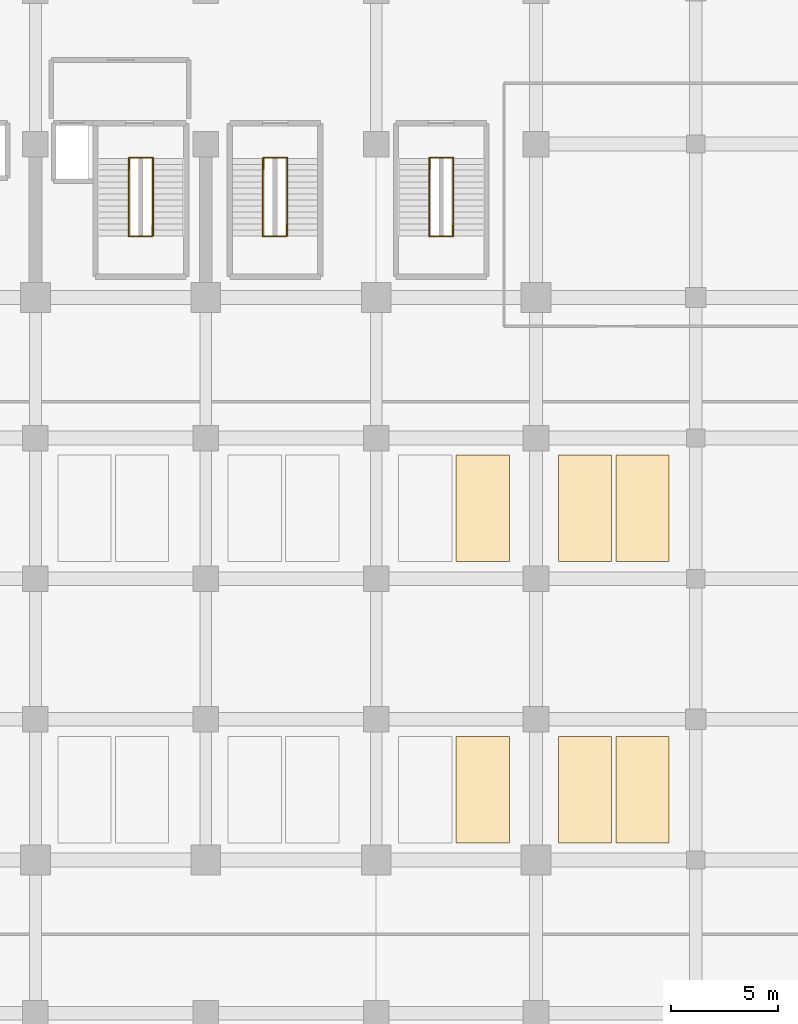
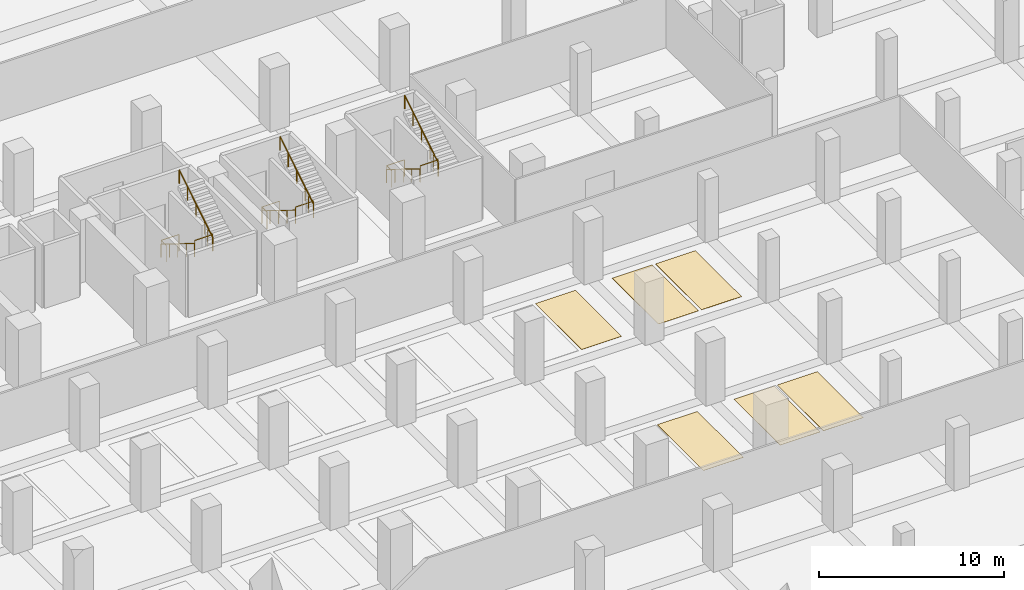
# One storey, part 22 of 25: 12 railings, 6 coverings.
"""IFC4 building model written with IfcOpenShell, lengths in metres."""

import ifcopenshell
import ifcopenshell.guid

model = None  # the IFC model being written
_history = None  # IfcOwnerHistory: only IFC2X3 demands one
_inside = {}  # id of a spatial element -> (the spatial element, [elements in it])
_under = {}  # id of a project, library or spatial element -> (it, [spatial elements below it])
_declared = {}  # id of a project -> (the project, [libraries it declares])
_typed = {}  # id of a type object -> (the type object, [elements of that type])
_made_of = {}  # id of a material, layer set ... -> (it, [elements and type objects made of it])


def new_model(schema):
    """Start an empty IFC model of exactly this schema.

    Asked for "IFC4X3", IfcOpenShell would pick the latest addendum, in which some entities
    have other attributes; the version numbers below select the first issue.
    IFC2X3 requires an IfcOwnerHistory on every rooted entity: one is made here for all.
    """
    global model, _history
    if schema == "IFC4X3":
        model = ifcopenshell.file(schema_version=(4, 3, 0, 0))
    else:
        model = ifcopenshell.file(schema=schema)
    _inside.clear()
    _under.clear()
    _declared.clear()
    _typed.clear()
    _made_of.clear()
    _history = None
    if model.schema == "IFC2X3":
        org = make("IfcOrganization", Name="unknown")
        user = make(
            "IfcPersonAndOrganization",
            ThePerson=make("IfcPerson", FamilyName="unknown"),
            TheOrganization=org,
        )
        app = make(
            "IfcApplication",
            ApplicationDeveloper=org,
            Version="unknown",
            ApplicationFullName="unknown",
            ApplicationIdentifier="unknown",
        )
        _history = make(
            "IfcOwnerHistory",
            OwningUser=user,
            OwningApplication=app,
            ChangeAction="ADDED",
            CreationDate=0,
        )
    return model


def make(cls, **values):
    """One entity of the class cls with the attributes given. An attribute that is None is left unset."""
    return model.create_entity(
        cls, **{name: value for name, value in values.items() if value is not None}
    )


def rooted(cls, **values):
    """An entity with a GlobalId (a new one), such as an element, a storey or a relation."""
    return make(cls, GlobalId=ifcopenshell.guid.new(), OwnerHistory=_history, **values)


def si_unit(unit_type, name, prefix=None):
    """IfcSIUnit, for example si_unit("LENGTHUNIT", "METRE", prefix="MILLI")."""
    return make("IfcSIUnit", UnitType=unit_type, Prefix=prefix, Name=name)


def assignment(units):
    """IfcUnitAssignment: the units of a project."""
    return None if units is None else make("IfcUnitAssignment", Units=units)


def point(xyz):
    """IfcCartesianPoint."""
    return None if xyz is None else make("IfcCartesianPoint", Coordinates=xyz)


def direction(xyz):
    """IfcDirection."""
    return None if xyz is None else make("IfcDirection", DirectionRatios=xyz)


def frame(location, z_axis=None, x_axis=None):
    """IfcAxis2Placement3D, a coordinate frame: its origin and axes. An axis left out is left unset."""
    return make(
        "IfcAxis2Placement3D",
        Location=point(location),
        Axis=direction(z_axis),
        RefDirection=direction(x_axis),
    )


def frame_2d(location, x_axis=None):
    """IfcAxis2Placement2D, a coordinate frame in the plane: its origin and x axis."""
    return make(
        "IfcAxis2Placement2D", Location=point(location), RefDirection=direction(x_axis)
    )


def origin():
    """The frame at (0, 0, 0) with its axes left unset."""
    return frame((0.0, 0.0, 0.0))


def origin_2d():
    """The frame at (0, 0) in the plane with its x axis left unset."""
    return frame_2d((0.0, 0.0))


def place(relative_to, where):
    """IfcLocalPlacement: puts the frame where relative to a parent placement (None: the world)."""
    return make(
        "IfcLocalPlacement", PlacementRelTo=relative_to, RelativePlacement=where
    )


def context(
    kind, dimensions, precision=None, world=None, true_north=None, identifier=None
):
    """IfcGeometricRepresentationContext, for example the 3D "Model" context."""
    return make(
        "IfcGeometricRepresentationContext",
        ContextIdentifier=identifier,
        ContextType=kind,
        CoordinateSpaceDimension=dimensions,
        Precision=precision,
        WorldCoordinateSystem=world,
        TrueNorth=true_north,
    )


def subcontext(parent, identifier, kind, view, scale=None):
    """IfcGeometricRepresentationSubContext, for example "Body" below "Model"."""
    return make(
        "IfcGeometricRepresentationSubContext",
        ContextIdentifier=identifier,
        ContextType=kind,
        ParentContext=parent,
        TargetScale=scale,
        TargetView=view,
    )


def project(units=None, contexts=None):
    """IfcProject with its units and contexts."""
    return rooted(
        "IfcProject",
        Name="project",
        RepresentationContexts=contexts,
        UnitsInContext=assignment(units),
    )


def spatial(cls, under=None, at=None, **own):
    """A site, building, storey or space (cls), placed at a placement, below another one or the project."""
    s = rooted(cls, ObjectPlacement=at, **own)
    if under is not None:
        _under.setdefault(under.id(), (under, []))[1].append(s)
    return s


def profile(cls, at=None, kind="AREA", **sizes):
    """A parametric profile (cls). Its sizes go by their IFC names, for example OverallWidth=200.0."""
    return make(cls, ProfileType=kind, Position=at, **sizes)


def rectangle(**sizes):
    """IfcRectangleProfileDef."""
    return profile("IfcRectangleProfileDef", **sizes)


def circle(**sizes):
    """IfcCircleProfileDef."""
    return profile("IfcCircleProfileDef", **sizes)


def extrude(swept, where, along, depth):
    """IfcExtrudedAreaSolid: the profile swept, set in the frame where, extruded along a direction by depth."""
    return make(
        "IfcExtrudedAreaSolid",
        SweptArea=swept,
        Position=where,
        ExtrudedDirection=direction(along),
        Depth=depth,
    )


def shape(context_of_items, identifier, shape_type, items):
    """IfcShapeRepresentation: the items that make up one representation, for example the "Body"."""
    return make(
        "IfcShapeRepresentation",
        ContextOfItems=context_of_items,
        RepresentationIdentifier=identifier,
        RepresentationType=shape_type,
        Items=items,
    )


def material(Name=None, Category=None):
    """IfcMaterial."""
    return make("IfcMaterial", Name=Name, Category=Category)


def layer(
    of_material, thickness, ventilated=None, Name=None, Category=None, Priority=None
):
    """IfcMaterialLayer: one layer of a wall or slab, of a material (None: an air gap)."""
    return make(
        "IfcMaterialLayer",
        Material=of_material,
        LayerThickness=thickness,
        IsVentilated=ventilated,
        Name=Name,
        Category=Category,
        Priority=Priority,
    )


def layer_set(layers, Name=None):
    """IfcMaterialLayerSet."""
    return make("IfcMaterialLayerSet", MaterialLayers=layers, LayerSetName=Name)


def made_of(thing, what):
    """Note that an element or type object is made of a material, layer set ...; save() writes the relation."""
    if what is not None:
        _made_of.setdefault(what.id(), (what, []))[1].append(thing)
    return thing


def type_object(cls, material=None, **own):
    """A type object (cls), such as IfcWallType, which elements share."""
    return made_of(rooted(cls, **own), material)


def element(
    cls,
    number,
    at=None,
    inside=None,
    cuts=None,
    type_object=None,
    material=None,
    context=None,
    identifier="Body",
    shape_type=None,
    held_by="IfcProductDefinitionShape",
    body=None,
    shapes=None,
    **own,
):
    """One element of the class cls, such as IfcWall. Its Tag is "e" and its number.

    at: its placement. inside: the storey or other place that contains it. cuts: it is an
    opening in that element (IfcRelVoidsElement). A single representation is given by context,
    identifier, shape_type and body (its items); several are given by shapes. held_by: the class
    of the entity that holds the representations. save() writes the other relations.
    """
    e = rooted(cls, Tag="e%d" % number, ObjectPlacement=at, **own)
    if body is not None:
        shapes = [shape(context, identifier, shape_type, body)]
    if shapes is not None:
        e.Representation = make(held_by, Representations=shapes)
    if inside is not None:
        _inside.setdefault(inside.id(), (inside, []))[1].append(e)
    if cuts is not None:
        rooted(
            "IfcRelVoidsElement", RelatingBuildingElement=cuts, RelatedOpeningElement=e
        )
    if type_object is not None:
        _typed.setdefault(type_object.id(), (type_object, []))[1].append(e)
    return made_of(e, material)


def aggregate(whole, parts):
    """IfcRelAggregates: a whole, such as a stair, and the parts it consists of."""
    return rooted("IfcRelAggregates", RelatingObject=whole, RelatedObjects=parts)


def save(model, path):
    """Write the relations noted so far, then the file.

    IfcRelAggregates (storeys below a building ...), IfcRelContainedInSpatialStructure (elements
    in a storey), IfcRelDefinesByType, IfcRelAssociatesMaterial and IfcRelDeclares: one each for
    every whole, place, type object, material and project.
    """
    for whole, parts in _under.values():
        aggregate(whole, parts)
    for where, things in _inside.values():
        rooted(
            "IfcRelContainedInSpatialStructure",
            RelatedElements=things,
            RelatingStructure=where,
        )
    for kind, things in _typed.values():
        rooted("IfcRelDefinesByType", RelatedObjects=things, RelatingType=kind)
    for what, things in _made_of.values():
        rooted("IfcRelAssociatesMaterial", RelatedObjects=things, RelatingMaterial=what)
    for by, libraries in _declared.values():
        rooted("IfcRelDeclares", RelatingContext=by, RelatedDefinitions=libraries)
    model.write(path)


model = new_model("IFC4")

# Units and contexts
model_context = context("Model", 3, precision=1e-05, world=origin(), true_north=direction((0.0, 1.0)))
body_context = subcontext(model_context, "Body", "Model", "MODEL_VIEW")
ifc_project = project(units=[si_unit("LENGTHUNIT", "METRE"), si_unit("AREAUNIT", "SQUARE_METRE"), si_unit("VOLUMEUNIT", "CUBIC_METRE"), si_unit("PLANEANGLEUNIT", "RADIAN"), si_unit("MASSUNIT", "GRAM", prefix="KILO")], contexts=[model_context])

# Site, building, storey
site_placement = place(None, origin())
site = spatial("IfcSite", under=ifc_project, at=site_placement, CompositionType="ELEMENT")
building_placement = place(site_placement, origin())
building = spatial("IfcBuilding", under=site, at=building_placement, Name="Akrevak Sports Hall", CompositionType="ELEMENT")
storey_placement = place(building_placement, frame((0.0, 0.0, -4.5)))
storey = spatial("IfcBuildingStorey", under=building, at=storey_placement, Name="B01", CompositionType="ELEMENT", Elevation=-4.5)

# Coverings
ifc_material_1 = material(Name="Polished Terrazzo Bay Topping", Category="stone")
ifc_layer_1 = layer(ifc_material_1, 0.014892578125, Name="Polished Terrazzo Bay Topping")
ifc_layer_set_1 = layer_set([ifc_layer_1], Name="Polished Terrazzo Bay Topping")
covering_type = type_object("IfcCoveringType", Name="ARC-COV-PKBAY-STD", PredefinedType="FLOORING", material=ifc_layer_set_1)
for number, where, z_axis, x_axis, name in (
    (1, (113.0, 32.10009765625, 0.0), (0.0, 0.0, 1.0), (1.0, 0.0, 0.0), "Standard Parking Bay Marking B01-S12"),
    (2, (117.800048828125, 32.10009765625, 0.0), (0.0, 0.0, 1.0), (1.0, 0.0, 0.0), "Standard Parking Bay Marking B01-S13"),
    (3, (120.5, 32.10009765625, 0.0), (0.0, 0.0, 1.0), (1.0, 0.0, 0.0), "Standard Parking Bay Marking B01-S14"),
    (4, (113.0, 45.300048828125, 0.0), (0.0, 0.0, 1.0), (1.0, 0.0, 0.0), "Standard Parking Bay Marking B01-S26"),
    (5, (117.800048828125, 45.300048828125, 0.0), (0.0, 0.0, 1.0), (1.0, 0.0, 0.0), "Standard Parking Bay Marking B01-S27"),
    (6, (120.5, 45.300048828125, 0.0), (0.0, 0.0, 1.0), (1.0, 0.0, 0.0), "Standard Parking Bay Marking B01-S28"),
):
    element("IfcCovering", number, at=place(storey_placement, frame(where, z_axis=z_axis, x_axis=x_axis)), inside=storey, type_object=covering_type, Name=name, PredefinedType="FLOORING", context=body_context, shape_type="SweptSolid", body=[
        extrude(rectangle(XDim=2.5, YDim=5.0, at=origin_2d()), origin(), (0.0, 0.0, 1.0), 0.014892578125),
    ])

# Railings
ifc_material_2 = material(Name="Painted Architectural Balustrade Steel", Category="steel")
ifc_layer_2 = layer(ifc_material_2, 0.06005859375, Name="Painted Architectural Balustrade Steel")
ifc_layer_set_2 = layer_set([ifc_layer_2], Name="Painted Architectural Balustrade Steel")
railing_type_1 = type_object("IfcRailingType", Name="ARC-RL-GRD-1120", PredefinedType="GUARDRAIL", material=ifc_layer_set_2)
railing_1_placement = place(storey_placement, frame((96.409912109375, 61.215087890625, 0.0)))
element("IfcRailing", 7, at=railing_1_placement, inside=storey, type_object=railing_type_1, Name="Stair Floor Landing Well Guard ST2 (B01)", PredefinedType="GUARDRAIL", context=body_context, shape_type="SweptSolid", body=[
    extrude(circle(Radius=0.02392578125, at=origin_2d()), frame((0.0, 0.0, 1.09619140625), z_axis=(0.0, 1.0, 0.0), x_axis=(-1.0, 0.0, 0.0)), (0.0, 0.0, 1.0), 0.5498046875),
    extrude(circle(Radius=0.02392578125, at=origin_2d()), frame((0.0, 0.5498046875, 1.09619140625), z_axis=(1.0, 0.0, 0.0), x_axis=(0.0, 1.0, 0.0)), (0.0, 0.0, 1.0), 1.110107421875),
    extrude(circle(Radius=0.02099609375, at=origin_2d()), origin(), (0.0, 0.0, 1.0), 1.072021484375),
    extrude(circle(Radius=0.02099609375, at=origin_2d()), frame((0.0, 0.5498046875, 0.0)), (0.0, 0.0, 1.0), 1.072021484375),
    extrude(circle(Radius=0.02099609375, at=origin_2d()), frame((1.110107421875, 0.5498046875, 0.0)), (0.0, 0.0, 1.0), 1.072021484375),
])
railing_2_placement = place(storey_placement, frame((96.3798828125, 58.06494140625, 2.25)))
element("IfcRailing", 8, at=railing_2_placement, inside=storey, type_object=railing_type_1, Name="Stair Landing Well Guard ST2-B01-1", PredefinedType="GUARDRAIL", context=body_context, shape_type="SweptSolid", body=[
    extrude(circle(Radius=0.02392578125, at=origin_2d()), frame((0.0, 0.0, 1.09619140625), z_axis=(1.0, 0.0, 0.0), x_axis=(0.0, 1.0, 0.0)), (0.0, 0.0, 1.0), 1.110107421875),
    extrude(circle(Radius=0.02392578125, at=origin_2d()), frame((1.110107421875, 0.0, 1.09619140625), z_axis=(0.0, 1.0, 0.0), x_axis=(-1.0, 0.0, 0.0)), (0.0, 0.0, 1.0), 0.52001953125),
    extrude(circle(Radius=0.02099609375, at=origin_2d()), origin(), (0.0, 0.0, 1.0), 1.072021484375),
    extrude(circle(Radius=0.02099609375, at=origin_2d()), frame((1.110107421875, 0.0, 0.0)), (0.0, 0.0, 1.0), 1.072021484375),
    extrude(circle(Radius=0.02099609375, at=origin_2d()), frame((1.110107421875, 0.52001953125, 0.0)), (0.0, 0.0, 1.0), 1.072021484375),
])
railing_3_placement = place(storey_placement, frame((102.7099609375, 61.215087890625, 0.0)))
element("IfcRailing", 9, at=railing_3_placement, inside=storey, type_object=railing_type_1, Name="Stair Floor Landing Well Guard ST10 (B01)", PredefinedType="GUARDRAIL", context=body_context, shape_type="SweptSolid", body=[
    extrude(circle(Radius=0.02392578125, at=origin_2d()), frame((0.0, 0.0, 1.09619140625), z_axis=(0.0, 1.0, 0.0), x_axis=(-1.0, 0.0, 0.0)), (0.0, 0.0, 1.0), 0.5498046875),
    extrude(circle(Radius=0.02392578125, at=origin_2d()), frame((0.0, 0.5498046875, 1.09619140625), z_axis=(1.0, 0.0, 0.0), x_axis=(0.0, 1.0, 0.0)), (0.0, 0.0, 1.0), 1.110107421875),
    extrude(circle(Radius=0.02099609375, at=origin_2d()), origin(), (0.0, 0.0, 1.0), 1.072021484375),
    extrude(circle(Radius=0.02099609375, at=origin_2d()), frame((0.0, 0.5498046875, 0.0)), (0.0, 0.0, 1.0), 1.072021484375),
    extrude(circle(Radius=0.02099609375, at=origin_2d()), frame((1.110107421875, 0.5498046875, 0.0)), (0.0, 0.0, 1.0), 1.072021484375),
])
railing_4_placement = place(storey_placement, frame((102.679931640625, 58.06494140625, 2.25)))
element("IfcRailing", 10, at=railing_4_placement, inside=storey, type_object=railing_type_1, Name="Stair Landing Well Guard ST10-B01-1", PredefinedType="GUARDRAIL", context=body_context, shape_type="SweptSolid", body=[
    extrude(circle(Radius=0.02392578125, at=origin_2d()), frame((0.0, 0.0, 1.09619140625), z_axis=(1.0, 0.0, 0.0), x_axis=(0.0, 1.0, 0.0)), (0.0, 0.0, 1.0), 1.110107421875),
    extrude(circle(Radius=0.02392578125, at=origin_2d()), frame((1.110107421875, 0.0, 1.09619140625), z_axis=(0.0, 1.0, 0.0), x_axis=(-1.0, 0.0, 0.0)), (0.0, 0.0, 1.0), 0.52001953125),
    extrude(circle(Radius=0.02099609375, at=origin_2d()), origin(), (0.0, 0.0, 1.0), 1.072021484375),
    extrude(circle(Radius=0.02099609375, at=origin_2d()), frame((1.110107421875, 0.0, 0.0)), (0.0, 0.0, 1.0), 1.072021484375),
    extrude(circle(Radius=0.02099609375, at=origin_2d()), frame((1.110107421875, 0.52001953125, 0.0)), (0.0, 0.0, 1.0), 1.072021484375),
])
railing_5_placement = place(storey_placement, frame((110.510009765625, 61.215087890625, 0.0)))
element("IfcRailing", 11, at=railing_5_placement, inside=storey, type_object=railing_type_1, Name="Stair Floor Landing Well Guard ST11 (B01)", PredefinedType="GUARDRAIL", context=body_context, shape_type="SweptSolid", body=[
    extrude(circle(Radius=0.02392578125, at=origin_2d()), frame((0.0, 0.0, 1.09619140625), z_axis=(0.0, 1.0, 0.0), x_axis=(-1.0, 0.0, 0.0)), (0.0, 0.0, 1.0), 0.5498046875),
    extrude(circle(Radius=0.02392578125, at=origin_2d()), frame((0.0, 0.5498046875, 1.09619140625), z_axis=(1.0, 0.0, 0.0), x_axis=(0.0, 1.0, 0.0)), (0.0, 0.0, 1.0), 1.110107421875),
    extrude(circle(Radius=0.02099609375, at=origin_2d()), origin(), (0.0, 0.0, 1.0), 1.072021484375),
    extrude(circle(Radius=0.02099609375, at=origin_2d()), frame((0.0, 0.5498046875, 0.0)), (0.0, 0.0, 1.0), 1.072021484375),
    extrude(circle(Radius=0.02099609375, at=origin_2d()), frame((1.110107421875, 0.5498046875, 0.0)), (0.0, 0.0, 1.0), 1.072021484375),
])
railing_6_placement = place(storey_placement, frame((110.47998046875, 58.06494140625, 2.25)))
element("IfcRailing", 12, at=railing_6_placement, inside=storey, type_object=railing_type_1, Name="Stair Landing Well Guard ST11-B01-1", PredefinedType="GUARDRAIL", context=body_context, shape_type="SweptSolid", body=[
    extrude(circle(Radius=0.02392578125, at=origin_2d()), frame((0.0, 0.0, 1.09619140625), z_axis=(1.0, 0.0, 0.0), x_axis=(0.0, 1.0, 0.0)), (0.0, 0.0, 1.0), 1.110107421875),
    extrude(circle(Radius=0.02392578125, at=origin_2d()), frame((1.110107421875, 0.0, 1.09619140625), z_axis=(0.0, 1.0, 0.0), x_axis=(-1.0, 0.0, 0.0)), (0.0, 0.0, 1.0), 0.52001953125),
    extrude(circle(Radius=0.02099609375, at=origin_2d()), origin(), (0.0, 0.0, 1.0), 1.072021484375),
    extrude(circle(Radius=0.02099609375, at=origin_2d()), frame((1.110107421875, 0.0, 0.0)), (0.0, 0.0, 1.0), 1.072021484375),
    extrude(circle(Radius=0.02099609375, at=origin_2d()), frame((1.110107421875, 0.52001953125, 0.0)), (0.0, 0.0, 1.0), 1.072021484375),
])
ifc_material_3 = material(Name="Brushed Stainless Steel 304", Category="steel")
ifc_layer_3 = layer(ifc_material_3, 0.050048828125, Name="Brushed Stainless Steel 304")
ifc_layer_set_3 = layer_set([ifc_layer_3], Name="Brushed Stainless Steel 304")
railing_type_2 = type_object("IfcRailingType", Name="ARC-RL-HND-900", PredefinedType="HANDRAIL", material=ifc_layer_set_3)
railing_7_placement = place(storey_placement, frame((96.3798828125, 61.735107421875, 0.0)))
element("IfcRailing", 13, at=railing_7_placement, inside=storey, type_object=railing_type_2, Name="Stair Handrail ST2-B01-F1", PredefinedType="HANDRAIL", context=body_context, shape_type="SweptSolid", body=[
    extrude(circle(Radius=0.02392578125, at=origin_2d()), frame((0.0, 0.0, 0.8759765625), z_axis=(0.0, -0.850622404505, 0.525777067734), x_axis=(1.0, 0.0, 0.0)), (0.0, 0.0, 1.0), 4.279296875),
    extrude(circle(Radius=0.02099609375, at=origin_2d()), origin(), (0.0, 0.0, 1.0), 0.851806640625),
    extrude(circle(Radius=0.02099609375, at=origin_2d()), frame((0.0, -0.91015625, 0.5625)), (0.0, 0.0, 1.0), 0.851806640625),
    extrude(circle(Radius=0.02099609375, at=origin_2d()), frame((0.0, -1.820068359375, 1.125)), (0.0, 0.0, 1.0), 0.851806640625),
    extrude(circle(Radius=0.02099609375, at=origin_2d()), frame((0.0, -2.72998046875, 1.6875)), (0.0, 0.0, 1.0), 0.851806640625),
    extrude(circle(Radius=0.02099609375, at=origin_2d()), frame((0.0, -3.64013671875, 2.25)), (0.0, 0.0, 1.0), 0.851806640625),
])
railing_8_placement = place(storey_placement, frame((97.52001953125, 58.094970703125, 2.25)))
element("IfcRailing", 14, at=railing_8_placement, inside=storey, type_object=railing_type_2, Name="Stair Handrail ST2-B01-F2", PredefinedType="HANDRAIL", context=body_context, shape_type="SweptSolid", body=[
    extrude(circle(Radius=0.02392578125, at=origin_2d()), frame((0.0, 0.0, 0.8759765625), z_axis=(0.0, 0.850622404505, 0.525777067734), x_axis=(-1.0, 0.0, 0.0)), (0.0, 0.0, 1.0), 4.279296875),
    extrude(circle(Radius=0.02099609375, at=origin_2d()), origin(), (0.0, 0.0, 1.0), 0.851806640625),
    extrude(circle(Radius=0.02099609375, at=origin_2d()), frame((0.0, 0.91015625, 0.5625)), (0.0, 0.0, 1.0), 0.851806640625),
    extrude(circle(Radius=0.02099609375, at=origin_2d()), frame((0.0, 1.820068359375, 1.125)), (0.0, 0.0, 1.0), 0.851806640625),
    extrude(circle(Radius=0.02099609375, at=origin_2d()), frame((0.0, 2.72998046875, 1.6875)), (0.0, 0.0, 1.0), 0.851806640625),
    extrude(circle(Radius=0.02099609375, at=origin_2d()), frame((0.0, 3.64013671875, 2.25)), (0.0, 0.0, 1.0), 0.851806640625),
])
railing_9_placement = place(storey_placement, frame((102.679931640625, 61.735107421875, 0.0)))
element("IfcRailing", 15, at=railing_9_placement, inside=storey, type_object=railing_type_2, Name="Stair Handrail ST10-B01-F1", PredefinedType="HANDRAIL", context=body_context, shape_type="SweptSolid", body=[
    extrude(circle(Radius=0.02392578125, at=origin_2d()), frame((0.0, 0.0, 0.8759765625), z_axis=(0.0, -0.850622404505, 0.525777067734), x_axis=(1.0, 0.0, 0.0)), (0.0, 0.0, 1.0), 4.279296875),
    extrude(circle(Radius=0.02099609375, at=origin_2d()), origin(), (0.0, 0.0, 1.0), 0.851806640625),
    extrude(circle(Radius=0.02099609375, at=origin_2d()), frame((0.0, -0.91015625, 0.5625)), (0.0, 0.0, 1.0), 0.851806640625),
    extrude(circle(Radius=0.02099609375, at=origin_2d()), frame((0.0, -1.820068359375, 1.125)), (0.0, 0.0, 1.0), 0.851806640625),
    extrude(circle(Radius=0.02099609375, at=origin_2d()), frame((0.0, -2.72998046875, 1.6875)), (0.0, 0.0, 1.0), 0.851806640625),
    extrude(circle(Radius=0.02099609375, at=origin_2d()), frame((0.0, -3.64013671875, 2.25)), (0.0, 0.0, 1.0), 0.851806640625),
])
railing_10_placement = place(storey_placement, frame((103.820068359375, 58.094970703125, 2.25)))
element("IfcRailing", 16, at=railing_10_placement, inside=storey, type_object=railing_type_2, Name="Stair Handrail ST10-B01-F2", PredefinedType="HANDRAIL", context=body_context, shape_type="SweptSolid", body=[
    extrude(circle(Radius=0.02392578125, at=origin_2d()), frame((0.0, 0.0, 0.8759765625), z_axis=(0.0, 0.850622404505, 0.525777067734), x_axis=(-1.0, 0.0, 0.0)), (0.0, 0.0, 1.0), 4.279296875),
    extrude(circle(Radius=0.02099609375, at=origin_2d()), origin(), (0.0, 0.0, 1.0), 0.851806640625),
    extrude(circle(Radius=0.02099609375, at=origin_2d()), frame((0.0, 0.91015625, 0.5625)), (0.0, 0.0, 1.0), 0.851806640625),
    extrude(circle(Radius=0.02099609375, at=origin_2d()), frame((0.0, 1.820068359375, 1.125)), (0.0, 0.0, 1.0), 0.851806640625),
    extrude(circle(Radius=0.02099609375, at=origin_2d()), frame((0.0, 2.72998046875, 1.6875)), (0.0, 0.0, 1.0), 0.851806640625),
    extrude(circle(Radius=0.02099609375, at=origin_2d()), frame((0.0, 3.64013671875, 2.25)), (0.0, 0.0, 1.0), 0.851806640625),
])
railing_11_placement = place(storey_placement, frame((110.47998046875, 61.735107421875, 0.0)))
element("IfcRailing", 17, at=railing_11_placement, inside=storey, type_object=railing_type_2, Name="Stair Handrail ST11-B01-F1", PredefinedType="HANDRAIL", context=body_context, shape_type="SweptSolid", body=[
    extrude(circle(Radius=0.02392578125, at=origin_2d()), frame((0.0, 0.0, 0.8759765625), z_axis=(0.0, -0.850622404505, 0.525777067734), x_axis=(1.0, 0.0, 0.0)), (0.0, 0.0, 1.0), 4.279296875),
    extrude(circle(Radius=0.02099609375, at=origin_2d()), origin(), (0.0, 0.0, 1.0), 0.851806640625),
    extrude(circle(Radius=0.02099609375, at=origin_2d()), frame((0.0, -0.91015625, 0.5625)), (0.0, 0.0, 1.0), 0.851806640625),
    extrude(circle(Radius=0.02099609375, at=origin_2d()), frame((0.0, -1.820068359375, 1.125)), (0.0, 0.0, 1.0), 0.851806640625),
    extrude(circle(Radius=0.02099609375, at=origin_2d()), frame((0.0, -2.72998046875, 1.6875)), (0.0, 0.0, 1.0), 0.851806640625),
    extrude(circle(Radius=0.02099609375, at=origin_2d()), frame((0.0, -3.64013671875, 2.25)), (0.0, 0.0, 1.0), 0.851806640625),
])
railing_12_placement = place(storey_placement, frame((111.6201171875, 58.094970703125, 2.25)))
element("IfcRailing", 18, at=railing_12_placement, inside=storey, type_object=railing_type_2, Name="Stair Handrail ST11-B01-F2", PredefinedType="HANDRAIL", context=body_context, shape_type="SweptSolid", body=[
    extrude(circle(Radius=0.02392578125, at=origin_2d()), frame((0.0, 0.0, 0.8759765625), z_axis=(0.0, 0.850622404505, 0.525777067734), x_axis=(-1.0, 0.0, 0.0)), (0.0, 0.0, 1.0), 4.279296875),
    extrude(circle(Radius=0.02099609375, at=origin_2d()), origin(), (0.0, 0.0, 1.0), 0.851806640625),
    extrude(circle(Radius=0.02099609375, at=origin_2d()), frame((0.0, 0.91015625, 0.5625)), (0.0, 0.0, 1.0), 0.851806640625),
    extrude(circle(Radius=0.02099609375, at=origin_2d()), frame((0.0, 1.820068359375, 1.125)), (0.0, 0.0, 1.0), 0.851806640625),
    extrude(circle(Radius=0.02099609375, at=origin_2d()), frame((0.0, 2.72998046875, 1.6875)), (0.0, 0.0, 1.0), 0.851806640625),
    extrude(circle(Radius=0.02099609375, at=origin_2d()), frame((0.0, 3.64013671875, 2.25)), (0.0, 0.0, 1.0), 0.851806640625),
])

save(model, "model.ifc")
